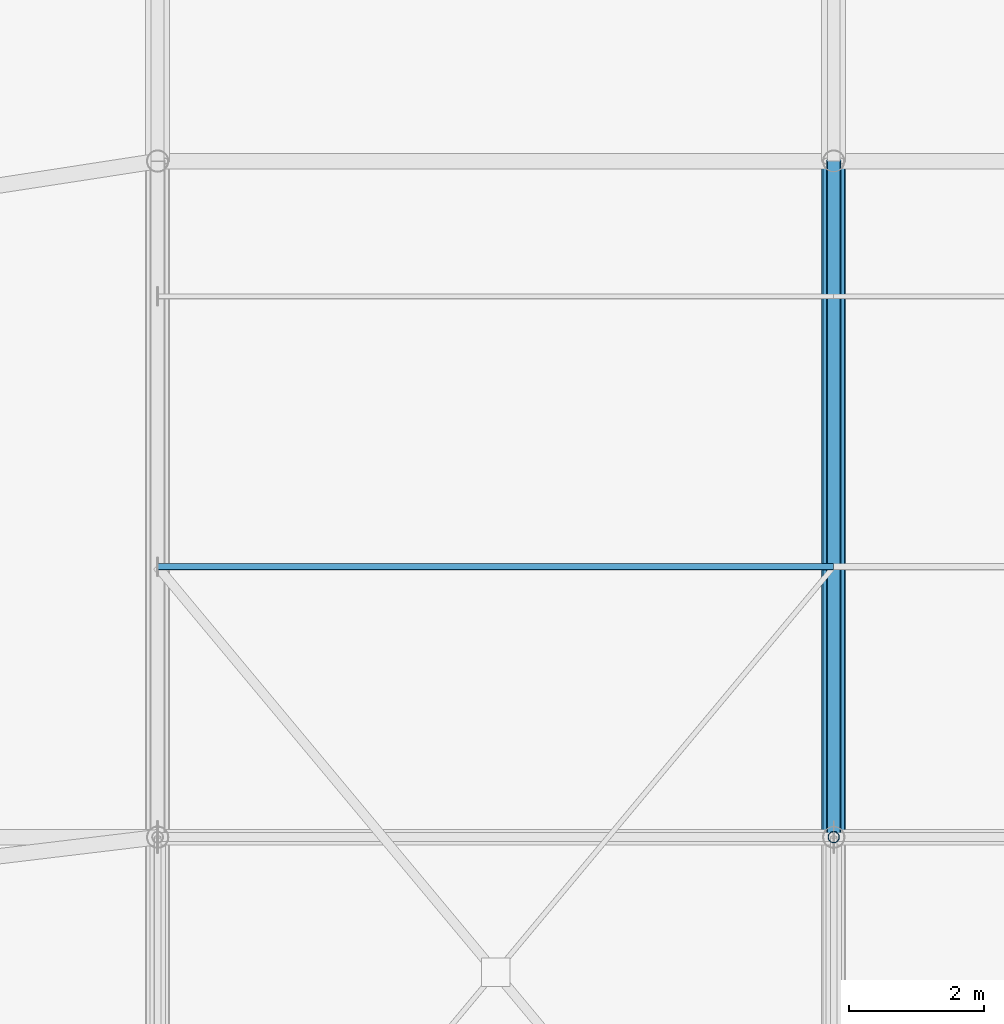
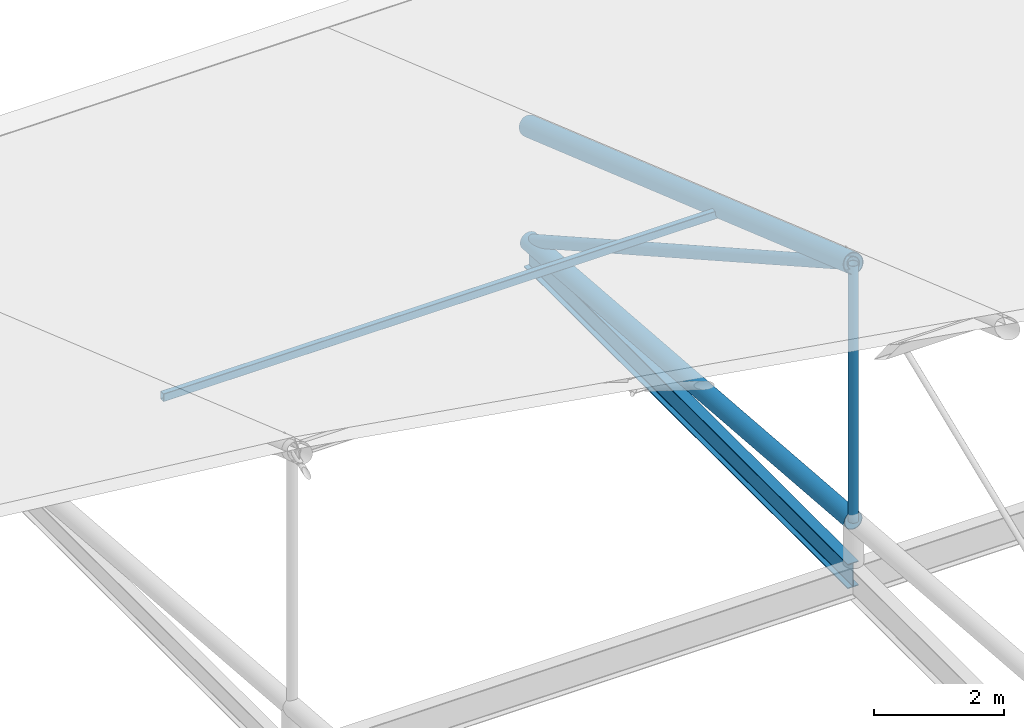
# One storey, part 35 of 93: 5 members, 1 beam.
"""IFC4 building model written with IfcOpenShell, lengths in metres."""

from ifc_helpers import new_model, si_unit, derived_unit, direction, frame, origin, origin_2d_with_axis, place, context, subcontext, project, spatial, hollow_rectangle, hollow_circle, i_section, extrude, material, material_profile, profile_set, type_object, element, save


model = new_model("IFC4")

# Units and contexts
model_context = context("Model", 3, precision=1e-05, world=origin(), true_north=direction((0.0, 1.0)))
body_context = subcontext(model_context, "Body", "Model", "MODEL_VIEW")
ifc_project = project(units=[si_unit("LENGTHUNIT", "METRE"), si_unit("AREAUNIT", "SQUARE_METRE"), si_unit("VOLUMEUNIT", "CUBIC_METRE"), si_unit("PLANEANGLEUNIT", "RADIAN"), si_unit("MASSUNIT", "GRAM", prefix="KILO"), derived_unit("THERMALTRANSMITTANCEUNIT", [(si_unit("POWERUNIT", "WATT"), 1), (si_unit("LENGTHUNIT", "METRE"), -2), (si_unit("THERMODYNAMICTEMPERATUREUNIT", "KELVIN"), -1)])], contexts=[model_context])

# Site, building, storey
site_placement = place(None, origin())
site = spatial("IfcSite", under=ifc_project, at=site_placement, CompositionType="ELEMENT")
building_placement = place(site_placement, origin())
building = spatial("IfcBuilding", under=site, at=building_placement, Name="Cinnabar Yard Market Hall", CompositionType="ELEMENT")
storey_placement = place(building_placement, frame((0.0, 0.0, 23.800048828125)))
storey = spatial("IfcBuildingStorey", under=building, at=storey_placement, Name="ROOF", CompositionType="ELEMENT", Elevation=23.800048828125)

# Beam
ifc_material_1 = material(Name="Steel Grade 300 (300 MPa)", Category="steel")
ifc_material_profile_1 = material_profile(ifc_material_1, i_section(OverallWidth=0.19091796875, OverallDepth=0.46044921875, WebThickness=0.010009765625, FlangeThickness=0.01611328125, FilletRadius=0.011474609375, at=origin_2d_with_axis()), Name="460UB82.1")
ifc_profile_set_1 = profile_set([ifc_material_profile_1], Name="Steel Grade 300 (300 MPa)")
beam_type = type_object("IfcBeamType", Name="BM-B04", PredefinedType="BEAM", material=ifc_profile_set_1)
beam_placement = place(storey_placement, frame((96.0, 64.0, -9.630126953125), z_axis=(0.0, 1.0, 0.0), x_axis=(-1.0, 0.0, 0.0)))
element("IfcBeam", 1, at=beam_placement, inside=storey, type_object=beam_type, Name="North Chhajja Backspan Girder 00526", PredefinedType="BEAM", context=body_context, shape_type="SweptSolid", body=[
    extrude(i_section(OverallWidth=0.19091796875, OverallDepth=0.46044921875, WebThickness=0.010009765625, FlangeThickness=0.01611328125, FilletRadius=0.011474609375, at=origin_2d_with_axis()), origin(), (0.0, 0.0, 1.0), 10.0),
])

# Members
ifc_material_2 = material(Name="Cold-formed steel C350L0", Category="steel")
ifc_material_profile_2 = material_profile(ifc_material_2, hollow_circle(Radius=0.161865234375, WallThickness=0.009521484375, at=origin_2d_with_axis()), Name="323.9x9.5CHS")
ifc_profile_set_2 = profile_set([ifc_material_profile_2], Name="Cold-formed steel C350L0")
member_type_1 = type_object("IfcMemberType", Name="MB-BC01", PredefinedType="CHORD", material=ifc_profile_set_2)
member_1_placement = place(storey_placement, frame((96.0, 64.0, -8.60009765625), z_axis=(0.0, 0.99681489162, -0.07975005859), x_axis=(-1.0, 0.0, 0.0)))
element("IfcMember", 2, at=member_1_placement, inside=storey, type_object=member_type_1, Name="Hall Truss 96 Bottom Chord 6", PredefinedType="CHORD", context=body_context, shape_type="SweptSolid", body=[
    extrude(hollow_circle(Radius=0.161865234375, WallThickness=0.009521484375, at=origin_2d_with_axis()), origin(), (0.0, 0.0, 1.0), 10.031982421875),
])
ifc_material_profile_3 = material_profile(ifc_material_2, hollow_circle(Radius=0.109619140625, WallThickness=0.00830078125, at=origin_2d_with_axis()), Name="219.1x8.2CHS")
ifc_profile_set_3 = profile_set([ifc_material_profile_3], Name="Cold-formed steel C350L0")
member_type_2 = type_object("IfcMemberType", Name="MB-DG01", PredefinedType="BRACE", material=ifc_profile_set_3)
member_2_placement = place(storey_placement, frame((96.0, 64.0, -3.76123046875), z_axis=(0.0, 0.871057093215, -0.491181779345), x_axis=(-1.0, 0.0, 0.0)))
element("IfcMember", 3, at=member_2_placement, inside=storey, type_object=member_type_2, Name="Hall Truss 96 Diagonal 6", PredefinedType="BRACE", context=body_context, shape_type="SweptSolid", body=[
    extrude(hollow_circle(Radius=0.109619140625, WallThickness=0.00830078125, at=origin_2d_with_axis()), origin(), (0.0, 0.0, 1.0), 11.480224609375),
])
ifc_material_profile_4 = material_profile(ifc_material_2, hollow_rectangle(XDim=0.10009765625, YDim=0.14990234375, WallThickness=0.0048828125, InnerFilletRadius=0.0048828125, OuterFilletRadius=0.010009765625, at=origin_2d_with_axis()), Name="150x100x5.0RHS")
ifc_profile_set_4 = profile_set([ifc_material_profile_4], Name="Cold-formed steel C350L0")
member_type_3 = type_object("IfcMemberType", Name="MB-PU03", PredefinedType="PURLIN", material=ifc_profile_set_4)
member_3_placement = place(storey_placement, frame((86.0, 68.0, -5.193603515625), z_axis=(1.0, 0.0, 0.0), x_axis=(0.0, 1.0, 0.0)))
element("IfcMember", 4, at=member_3_placement, inside=storey, type_object=member_type_3, Name="Hall Roof Purlin Y68 X86", PredefinedType="PURLIN", context=body_context, shape_type="SweptSolid", body=[
    extrude(hollow_rectangle(XDim=0.10009765625, YDim=0.14990234375, WallThickness=0.0048828125, InnerFilletRadius=0.0048828125, OuterFilletRadius=0.010009765625, at=origin_2d_with_axis()), origin(), (0.0, 0.0, 1.0), 10.0),
])
ifc_material_profile_5 = material_profile(ifc_material_2, hollow_circle(Radius=0.177734375, WallThickness=0.0126953125, at=origin_2d_with_axis()), Name="355.6x12.7CHS")
ifc_profile_set_5 = profile_set([ifc_material_profile_5], Name="Cold-formed steel C350L0")
member_type_4 = type_object("IfcMemberType", Name="MB-TC01", PredefinedType="CHORD", material=ifc_profile_set_5)
member_4_placement = place(storey_placement, frame((96.0, 64.0, -3.76123046875), z_axis=(0.0, 0.944424919483, -0.328727199147), x_axis=(-1.0, 0.0, 0.0)))
element("IfcMember", 5, at=member_4_placement, inside=storey, type_object=member_type_4, Name="Hall Truss 96 Top Chord 6", PredefinedType="CHORD", context=body_context, shape_type="SweptSolid", body=[
    extrude(hollow_circle(Radius=0.177734375, WallThickness=0.0126953125, at=origin_2d_with_axis()), origin(), (0.0, 0.0, 1.0), 10.58837890625),
])
ifc_material_profile_6 = material_profile(ifc_material_2, hollow_circle(Radius=0.084228515625, WallThickness=0.00634765625, at=origin_2d_with_axis()), Name="168.3x6.4CHS")
ifc_profile_set_6 = profile_set([ifc_material_profile_6], Name="Cold-formed steel C350L0")
member_type_5 = type_object("IfcMemberType", Name="MB-WB01", PredefinedType="STRUT", material=ifc_profile_set_6)
member_5_placement = place(storey_placement, frame((96.0, 64.0, -8.60009765625), z_axis=(0.0, 0.0, 1.0), x_axis=(1.0, 0.0, 0.0)))
element("IfcMember", 6, at=member_5_placement, inside=storey, type_object=member_type_5, Name="Hall Truss 96 Post 5", PredefinedType="STRUT", context=body_context, shape_type="SweptSolid", body=[
    extrude(hollow_circle(Radius=0.084228515625, WallThickness=0.00634765625, at=origin_2d_with_axis()), origin(), (0.0, 0.0, 1.0), 4.8388671875),
])

save(model, "model.ifc")
